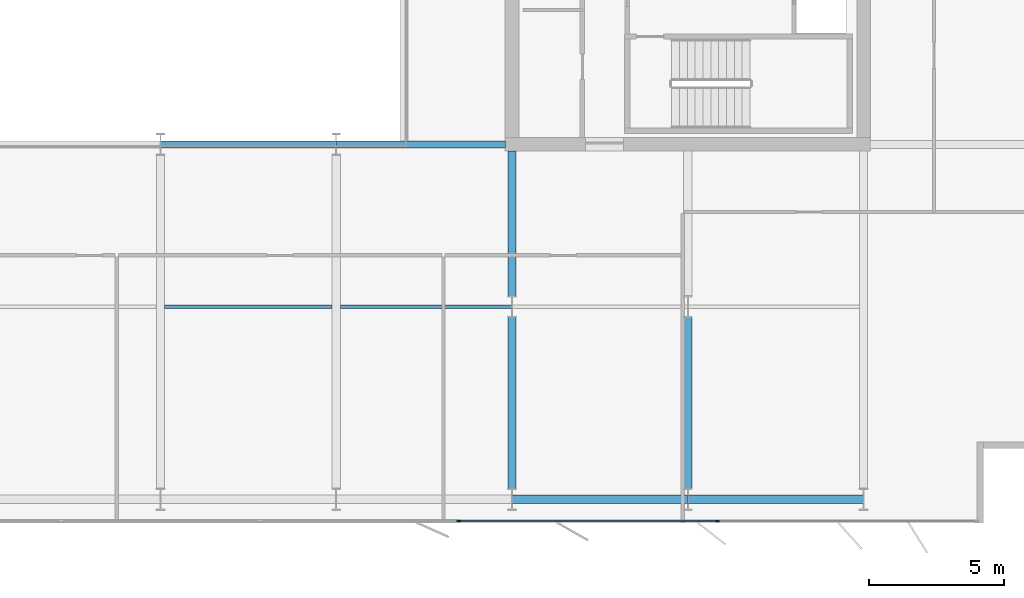
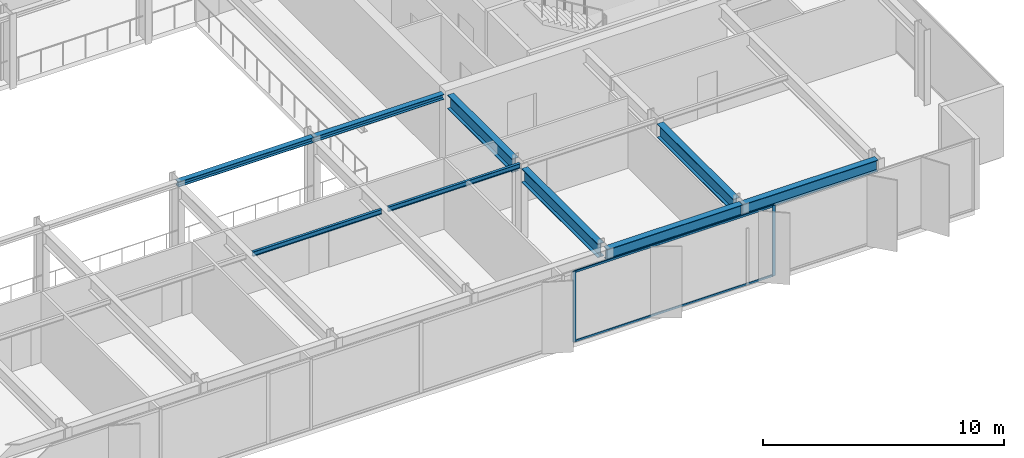
# One storey, part 7 of 23: 9 beams, 4 members, 1 element without a shape of its own.
"""IFC4 building model written with IfcOpenShell, lengths in metres."""

import ifcopenshell
import ifcopenshell.guid

model = None  # the IFC model being written
_history = None  # IfcOwnerHistory: only IFC2X3 demands one
_inside = {}  # id of a spatial element -> (the spatial element, [elements in it])
_under = {}  # id of a project, library or spatial element -> (it, [spatial elements below it])
_declared = {}  # id of a project -> (the project, [libraries it declares])
_typed = {}  # id of a type object -> (the type object, [elements of that type])
_made_of = {}  # id of a material, layer set ... -> (it, [elements and type objects made of it])


def new_model(schema):
    """Start an empty IFC model of exactly this schema.

    Asked for "IFC4X3", IfcOpenShell would pick the latest addendum, in which some entities
    have other attributes; the version numbers below select the first issue.
    IFC2X3 requires an IfcOwnerHistory on every rooted entity: one is made here for all.
    """
    global model, _history
    if schema == "IFC4X3":
        model = ifcopenshell.file(schema_version=(4, 3, 0, 0))
    else:
        model = ifcopenshell.file(schema=schema)
    _inside.clear()
    _under.clear()
    _declared.clear()
    _typed.clear()
    _made_of.clear()
    _history = None
    if model.schema == "IFC2X3":
        org = make("IfcOrganization", Name="unknown")
        user = make(
            "IfcPersonAndOrganization",
            ThePerson=make("IfcPerson", FamilyName="unknown"),
            TheOrganization=org,
        )
        app = make(
            "IfcApplication",
            ApplicationDeveloper=org,
            Version="unknown",
            ApplicationFullName="unknown",
            ApplicationIdentifier="unknown",
        )
        _history = make(
            "IfcOwnerHistory",
            OwningUser=user,
            OwningApplication=app,
            ChangeAction="ADDED",
            CreationDate=0,
        )
    return model


def make(cls, **values):
    """One entity of the class cls with the attributes given. An attribute that is None is left unset."""
    return model.create_entity(
        cls, **{name: value for name, value in values.items() if value is not None}
    )


def rooted(cls, **values):
    """An entity with a GlobalId (a new one), such as an element, a storey or a relation."""
    return make(cls, GlobalId=ifcopenshell.guid.new(), OwnerHistory=_history, **values)


def si_unit(unit_type, name, prefix=None):
    """IfcSIUnit, for example si_unit("LENGTHUNIT", "METRE", prefix="MILLI")."""
    return make("IfcSIUnit", UnitType=unit_type, Prefix=prefix, Name=name)


def assignment(units):
    """IfcUnitAssignment: the units of a project."""
    return None if units is None else make("IfcUnitAssignment", Units=units)


def point(xyz):
    """IfcCartesianPoint."""
    return None if xyz is None else make("IfcCartesianPoint", Coordinates=xyz)


def direction(xyz):
    """IfcDirection."""
    return None if xyz is None else make("IfcDirection", DirectionRatios=xyz)


def frame(location, z_axis=None, x_axis=None):
    """IfcAxis2Placement3D, a coordinate frame: its origin and axes. An axis left out is left unset."""
    return make(
        "IfcAxis2Placement3D",
        Location=point(location),
        Axis=direction(z_axis),
        RefDirection=direction(x_axis),
    )


def frame_2d(location, x_axis=None):
    """IfcAxis2Placement2D, a coordinate frame in the plane: its origin and x axis."""
    return make(
        "IfcAxis2Placement2D", Location=point(location), RefDirection=direction(x_axis)
    )


def origin():
    """The frame at (0, 0, 0) with its axes left unset."""
    return frame((0.0, 0.0, 0.0))


def origin_2d():
    """The frame at (0, 0) in the plane with its x axis left unset."""
    return frame_2d((0.0, 0.0))


def place(relative_to, where):
    """IfcLocalPlacement: puts the frame where relative to a parent placement (None: the world)."""
    return make(
        "IfcLocalPlacement", PlacementRelTo=relative_to, RelativePlacement=where
    )


def context(
    kind, dimensions, precision=None, world=None, true_north=None, identifier=None
):
    """IfcGeometricRepresentationContext, for example the 3D "Model" context."""
    return make(
        "IfcGeometricRepresentationContext",
        ContextIdentifier=identifier,
        ContextType=kind,
        CoordinateSpaceDimension=dimensions,
        Precision=precision,
        WorldCoordinateSystem=world,
        TrueNorth=true_north,
    )


def subcontext(parent, identifier, kind, view, scale=None):
    """IfcGeometricRepresentationSubContext, for example "Body" below "Model"."""
    return make(
        "IfcGeometricRepresentationSubContext",
        ContextIdentifier=identifier,
        ContextType=kind,
        ParentContext=parent,
        TargetScale=scale,
        TargetView=view,
    )


def project(units=None, contexts=None):
    """IfcProject with its units and contexts."""
    return rooted(
        "IfcProject",
        Name="project",
        RepresentationContexts=contexts,
        UnitsInContext=assignment(units),
    )


def spatial(cls, under=None, at=None, **own):
    """A site, building, storey or space (cls), placed at a placement, below another one or the project."""
    s = rooted(cls, ObjectPlacement=at, **own)
    if under is not None:
        _under.setdefault(under.id(), (under, []))[1].append(s)
    return s


def profile(cls, at=None, kind="AREA", **sizes):
    """A parametric profile (cls). Its sizes go by their IFC names, for example OverallWidth=200.0."""
    return make(cls, ProfileType=kind, Position=at, **sizes)


def rectangle(**sizes):
    """IfcRectangleProfileDef."""
    return profile("IfcRectangleProfileDef", **sizes)


def i_section(**sizes):
    """IfcIShapeProfileDef."""
    return profile("IfcIShapeProfileDef", **sizes)


def extrude(swept, where, along, depth):
    """IfcExtrudedAreaSolid: the profile swept, set in the frame where, extruded along a direction by depth."""
    return make(
        "IfcExtrudedAreaSolid",
        SweptArea=swept,
        Position=where,
        ExtrudedDirection=direction(along),
        Depth=depth,
    )


def shape(context_of_items, identifier, shape_type, items):
    """IfcShapeRepresentation: the items that make up one representation, for example the "Body"."""
    return make(
        "IfcShapeRepresentation",
        ContextOfItems=context_of_items,
        RepresentationIdentifier=identifier,
        RepresentationType=shape_type,
        Items=items,
    )


def material(Name=None, Category=None):
    """IfcMaterial."""
    return make("IfcMaterial", Name=Name, Category=Category)


def layer(
    of_material, thickness, ventilated=None, Name=None, Category=None, Priority=None
):
    """IfcMaterialLayer: one layer of a wall or slab, of a material (None: an air gap)."""
    return make(
        "IfcMaterialLayer",
        Material=of_material,
        LayerThickness=thickness,
        IsVentilated=ventilated,
        Name=Name,
        Category=Category,
        Priority=Priority,
    )


def layer_set(layers, Name=None):
    """IfcMaterialLayerSet."""
    return make("IfcMaterialLayerSet", MaterialLayers=layers, LayerSetName=Name)


def material_profile(
    of_material, cross_section, Name=None, Category=None, Priority=None
):
    """IfcMaterialProfile: a cross section and its material."""
    return make(
        "IfcMaterialProfile",
        Name=Name,
        Material=of_material,
        Profile=cross_section,
        Priority=Priority,
        Category=Category,
    )


def profile_set(profiles, Name=None, composite=None):
    """IfcMaterialProfileSet."""
    return make(
        "IfcMaterialProfileSet",
        Name=Name,
        MaterialProfiles=profiles,
        CompositeProfile=composite,
    )


def made_of(thing, what):
    """Note that an element or type object is made of a material, layer set ...; save() writes the relation."""
    if what is not None:
        _made_of.setdefault(what.id(), (what, []))[1].append(thing)
    return thing


def type_object(cls, material=None, **own):
    """A type object (cls), such as IfcWallType, which elements share."""
    return made_of(rooted(cls, **own), material)


def element(
    cls,
    number,
    at=None,
    inside=None,
    cuts=None,
    type_object=None,
    material=None,
    context=None,
    identifier="Body",
    shape_type=None,
    held_by="IfcProductDefinitionShape",
    body=None,
    shapes=None,
    **own,
):
    """One element of the class cls, such as IfcWall. Its Tag is "e" and its number.

    at: its placement. inside: the storey or other place that contains it. cuts: it is an
    opening in that element (IfcRelVoidsElement). A single representation is given by context,
    identifier, shape_type and body (its items); several are given by shapes. held_by: the class
    of the entity that holds the representations. save() writes the other relations.
    """
    e = rooted(cls, Tag="e%d" % number, ObjectPlacement=at, **own)
    if body is not None:
        shapes = [shape(context, identifier, shape_type, body)]
    if shapes is not None:
        e.Representation = make(held_by, Representations=shapes)
    if inside is not None:
        _inside.setdefault(inside.id(), (inside, []))[1].append(e)
    if cuts is not None:
        rooted(
            "IfcRelVoidsElement", RelatingBuildingElement=cuts, RelatedOpeningElement=e
        )
    if type_object is not None:
        _typed.setdefault(type_object.id(), (type_object, []))[1].append(e)
    return made_of(e, material)


def aggregate(whole, parts):
    """IfcRelAggregates: a whole, such as a stair, and the parts it consists of."""
    return rooted("IfcRelAggregates", RelatingObject=whole, RelatedObjects=parts)


def save(model, path):
    """Write the relations noted so far, then the file.

    IfcRelAggregates (storeys below a building ...), IfcRelContainedInSpatialStructure (elements
    in a storey), IfcRelDefinesByType, IfcRelAssociatesMaterial and IfcRelDeclares: one each for
    every whole, place, type object, material and project.
    """
    for whole, parts in _under.values():
        aggregate(whole, parts)
    for where, things in _inside.values():
        rooted(
            "IfcRelContainedInSpatialStructure",
            RelatedElements=things,
            RelatingStructure=where,
        )
    for kind, things in _typed.values():
        rooted("IfcRelDefinesByType", RelatedObjects=things, RelatingType=kind)
    for what, things in _made_of.values():
        rooted("IfcRelAssociatesMaterial", RelatedObjects=things, RelatingMaterial=what)
    for by, libraries in _declared.values():
        rooted("IfcRelDeclares", RelatingContext=by, RelatedDefinitions=libraries)
    model.write(path)


model = new_model("IFC4")

# Units and contexts
model_context = context("Model", 3, precision=1e-05, world=origin(), true_north=direction((0.0, 1.0)))
body_context = subcontext(model_context, "Body", "Model", "MODEL_VIEW")
ifc_project = project(units=[si_unit("LENGTHUNIT", "METRE"), si_unit("AREAUNIT", "SQUARE_METRE"), si_unit("VOLUMEUNIT", "CUBIC_METRE"), si_unit("PLANEANGLEUNIT", "RADIAN"), si_unit("MASSUNIT", "GRAM", prefix="KILO")], contexts=[model_context])

# Site, building, storey
site_placement = place(None, origin())
site = spatial("IfcSite", under=ifc_project, at=site_placement, CompositionType="ELEMENT")
building_placement = place(site_placement, origin())
building = spatial("IfcBuilding", under=site, at=building_placement, Name="Putna Gate Headquarters", CompositionType="ELEMENT")
storey_placement = place(building_placement, frame((0.0, 0.0, 206.199951171875)))
storey = spatial("IfcBuildingStorey", under=building, at=storey_placement, Name="L51", CompositionType="ELEMENT", Elevation=206.199951171875)

# Beams
ifc_material_1 = material(Name="Steel S355J2", Category="steel")
ifc_material_profile_1 = material_profile(ifc_material_1, i_section(OverallWidth=0.260009765625, OverallDepth=0.260009765625, WebThickness=0.010009765625, FlangeThickness=0.017578125, at=origin_2d()), Name="Steel S355J2")
ifc_profile_set_1 = profile_set([ifc_material_profile_1], Name="Steel S355J2")
beam_type_1 = type_object("IfcBeamType", Name="BM-ATRIUM-HEB260", PredefinedType="BEAM", material=ifc_profile_set_1)
beam_1_placement = place(storey_placement, frame((39.006103515625, 19.0, 3.449951171875), z_axis=(1.0, 0.0, 0.0), x_axis=(0.0, 1.0, 0.0)))
element("IfcBeam", 1, at=beam_1_placement, inside=storey, type_object=beam_type_1, Name="L51 Atrium Edge Beam AS3", PredefinedType="BEAM", context=body_context, shape_type="SweptSolid", body=[
    extrude(i_section(OverallWidth=0.260009765625, OverallDepth=0.260009765625, WebThickness=0.010009765625, FlangeThickness=0.017578125, at=origin_2d()), origin(), (0.0, 0.0, 1.0), 6.48779296875),
])
beam_2_placement = place(storey_placement, frame((45.506103515625, 19.0, 3.449951171875), z_axis=(1.0, 0.0, 0.0), x_axis=(0.0, 1.0, 0.0)))
element("IfcBeam", 2, at=beam_2_placement, inside=storey, type_object=beam_type_1, Name="L51 Atrium Edge Beam AS4", PredefinedType="BEAM", context=body_context, shape_type="SweptSolid", body=[
    extrude(i_section(OverallWidth=0.260009765625, OverallDepth=0.260009765625, WebThickness=0.010009765625, FlangeThickness=0.017578125, at=origin_2d()), origin(), (0.0, 0.0, 1.0), 6.2587890625),
])
ifc_material_profile_2 = material_profile(ifc_material_1, i_section(OverallWidth=0.300048828125, OverallDepth=0.699951171875, WebThickness=0.01708984375, FlangeThickness=0.031982421875, at=origin_2d()), Name="Steel S355J2")
ifc_profile_set_2 = profile_set([ifc_material_profile_2], Name="Steel S355J2")
beam_type_2 = type_object("IfcBeamType", Name="BM-GIRD-B-HEB700", PredefinedType="USERDEFINED", material=ifc_profile_set_2)
beam_3_placement = place(storey_placement, frame((52.0, 6.27490234375, 3.22998046875), z_axis=(0.0, 1.0, 0.0), x_axis=(-1.0, 0.0, 0.0)))
element("IfcBeam", 3, at=beam_3_placement, inside=storey, type_object=beam_type_2, Name="L51 South Primary Girder X52-1", ObjectType="GIRDER", PredefinedType="USERDEFINED", context=body_context, shape_type="SweptSolid", body=[
    extrude(i_section(OverallWidth=0.300048828125, OverallDepth=0.699951171875, WebThickness=0.01708984375, FlangeThickness=0.031982421875, at=origin_2d()), origin(), (0.0, 0.0, 1.0), 6.330078125),
])
beam_4_placement = place(storey_placement, frame((52.0, 13.39501953125, 3.22998046875), z_axis=(0.0, 1.0, 0.0), x_axis=(-1.0, 0.0, 0.0)))
element("IfcBeam", 4, at=beam_4_placement, inside=storey, type_object=beam_type_2, Name="L51 South Primary Girder X52-2", ObjectType="GIRDER", PredefinedType="USERDEFINED", context=body_context, shape_type="SweptSolid", body=[
    extrude(i_section(OverallWidth=0.300048828125, OverallDepth=0.699951171875, WebThickness=0.01708984375, FlangeThickness=0.031982421875, at=origin_2d()), origin(), (0.0, 0.0, 1.0), 5.369873046875),
])
beam_5_placement = place(storey_placement, frame((58.5, 6.27490234375, 3.22998046875), z_axis=(0.0, 1.0, 0.0), x_axis=(-1.0, 0.0, 0.0)))
element("IfcBeam", 5, at=beam_5_placement, inside=storey, type_object=beam_type_2, Name="L51 South Primary Girder X58-1", ObjectType="GIRDER", PredefinedType="USERDEFINED", context=body_context, shape_type="SweptSolid", body=[
    extrude(i_section(OverallWidth=0.300048828125, OverallDepth=0.699951171875, WebThickness=0.01708984375, FlangeThickness=0.031982421875, at=origin_2d()), origin(), (0.0, 0.0, 1.0), 6.330078125),
])
ifc_material_profile_3 = material_profile(ifc_material_1, i_section(OverallWidth=0.1201171875, OverallDepth=0.239990234375, WebThickness=0.006103515625, FlangeThickness=0.009765625, at=origin_2d()), Name="Steel S355J2")
ifc_profile_set_3 = profile_set([ifc_material_profile_3], Name="Steel S355J2")
beam_type_3 = type_object("IfcBeamType", Name="BM-SEC-Z4-IPE240", PredefinedType="JOIST", material=ifc_profile_set_3)
beam_6_placement = place(storey_placement, frame((39.154052734375, 13.0, 3.4599609375), z_axis=(1.0, 0.0, 0.0), x_axis=(0.0, 1.0, 0.0)))
element("IfcBeam", 6, at=beam_6_placement, inside=storey, type_object=beam_type_3, Name="L51 South Secondary Beam 5", PredefinedType="JOIST", context=body_context, shape_type="SweptSolid", body=[
    extrude(i_section(OverallWidth=0.1201171875, OverallDepth=0.239990234375, WebThickness=0.006103515625, FlangeThickness=0.009765625, at=origin_2d()), origin(), (0.0, 0.0, 1.0), 6.19189453125),
])
beam_7_placement = place(storey_placement, frame((45.654052734375, 13.0, 3.4599609375), z_axis=(1.0, 0.0, 0.0), x_axis=(0.0, 1.0, 0.0)))
element("IfcBeam", 7, at=beam_7_placement, inside=storey, type_object=beam_type_3, Name="L51 South Secondary Beam 6", PredefinedType="JOIST", context=body_context, shape_type="SweptSolid", body=[
    extrude(i_section(OverallWidth=0.1201171875, OverallDepth=0.239990234375, WebThickness=0.006103515625, FlangeThickness=0.009765625, at=origin_2d()), origin(), (0.0, 0.0, 1.0), 6.33984375),
])
ifc_material_profile_4 = material_profile(ifc_material_1, i_section(OverallWidth=0.300048828125, OverallDepth=0.590087890625, WebThickness=0.012939453125, FlangeThickness=0.02490234375, at=origin_2d()), Name="Steel S355J2")
ifc_profile_set_4 = profile_set([ifc_material_profile_4], Name="Steel S355J2")
beam_type_4 = type_object("IfcBeamType", Name="BM-SPAN-Z4-HEA600", PredefinedType="SPANDREL", material=ifc_profile_set_4)
for number, where, z_axis, x_axis, name in (
    (8, (52.006103515625, 5.8798828125, 3.28515625), (1.0, 0.0, 0.0), (0.0, 1.0, 0.0), "L51 S Perimeter Spandrel 7"),
    (9, (58.506103515625, 5.8798828125, 3.28515625), (1.0, 0.0, 0.0), (0.0, 1.0, 0.0), "L51 S Perimeter Spandrel 8"),
):
    element("IfcBeam", number, at=place(storey_placement, frame(where, z_axis=z_axis, x_axis=x_axis)), inside=storey, type_object=beam_type_4, Name=name, PredefinedType="SPANDREL", context=body_context, shape_type="SweptSolid", body=[
        extrude(i_section(OverallWidth=0.300048828125, OverallDepth=0.590087890625, WebThickness=0.012939453125, FlangeThickness=0.02490234375, at=origin_2d()), origin(), (0.0, 0.0, 1.0), 6.48779296875),
    ])

# Curtain wall, members
ifc_material_2 = material(Name="Anodised bronze aluminium curtain wall", Category="aluminium")
ifc_layer = layer(ifc_material_2, 0.139892578125)
ifc_layer_set = layer_set([ifc_layer], Name="Anodised bronze aluminium curtain wall")
curtain_wall_type = type_object("IfcCurtainWallType", Name="CW-SYS-Z4", PredefinedType="USERDEFINED", material=ifc_layer_set)
curtain_wall_placement = place(storey_placement, origin())
curtain_wall = element("IfcCurtainWall", 10, at=curtain_wall_placement, inside=storey, type_object=curtain_wall_type, Name="L51 South East Curtain Wall", ObjectType="STICK CURTAIN WALL", PredefinedType="USERDEFINED")
ifc_material_3 = material(Name="Anodised bronze aluminium EN AW-6060", Category="aluminium")
ifc_material_profile_5 = material_profile(ifc_material_3, rectangle(XDim=0.06005859375, YDim=0.139892578125, at=origin_2d()), Name="Anodised bronze aluminium EN AW-6060")
ifc_profile_set_5 = profile_set([ifc_material_profile_5], Name="Anodised bronze aluminium EN AW-6060")
member_type_1 = type_object("IfcMemberType", Name="MULL-CWM-4", PredefinedType="MULLION", material=ifc_profile_set_5)
member_1_placement = place(storey_placement, frame((50.030029296875, 5.080078125, 0.0), z_axis=(0.0, 0.0, 1.0), x_axis=(0.0, 1.0, 0.0)))
member_1 = element("IfcMember", 11, at=member_1_placement, type_object=member_type_1, Name="CWS-4 mullion 1", PredefinedType="MULLION", context=body_context, shape_type="SweptSolid", body=[
    extrude(rectangle(XDim=0.06005859375, YDim=0.139892578125, at=origin_2d()), origin(), (0.0, 0.0, 1.0), 3.580078125),
])
member_2_placement = place(storey_placement, frame((59.60009765625, 5.080078125, 0.0), z_axis=(0.0, 0.0, 1.0), x_axis=(0.0, 1.0, 0.0)))
member_2 = element("IfcMember", 12, at=member_2_placement, type_object=member_type_1, Name="CWS-4 mullion 2", PredefinedType="MULLION", context=body_context, shape_type="SweptSolid", body=[
    extrude(rectangle(XDim=0.06005859375, YDim=0.139892578125, at=origin_2d()), origin(), (0.0, 0.0, 1.0), 3.580078125),
])
ifc_material_profile_6 = material_profile(ifc_material_3, rectangle(XDim=0.06005859375, YDim=0.10009765625, at=origin_2d()), Name="Anodised bronze aluminium EN AW-6060")
ifc_profile_set_6 = profile_set([ifc_material_profile_6], Name="Anodised bronze aluminium EN AW-6060")
member_type_2 = type_object("IfcMemberType", Name="TRAN-CWT-4", PredefinedType="USERDEFINED", material=ifc_profile_set_6)
member_3_placement = place(storey_placement, frame((50.06005859375, 5.080078125, 0.030029296875), z_axis=(1.0, 0.0, 0.0), x_axis=(0.0, 1.0, 0.0)))
member_3 = element("IfcMember", 13, at=member_3_placement, type_object=member_type_2, Name="CWS-4 transom 1.1", ObjectType="TRANSOM", PredefinedType="USERDEFINED", context=body_context, shape_type="SweptSolid", body=[
    extrude(rectangle(XDim=0.06005859375, YDim=0.10009765625, at=origin_2d()), origin(), (0.0, 0.0, 1.0), 9.510009765625),
])
member_4_placement = place(storey_placement, frame((50.06005859375, 5.080078125, 3.550048828125), z_axis=(1.0, 0.0, 0.0), x_axis=(0.0, 1.0, 0.0)))
member_4 = element("IfcMember", 14, at=member_4_placement, type_object=member_type_2, Name="CWS-4 transom 1.2", ObjectType="TRANSOM", PredefinedType="USERDEFINED", context=body_context, shape_type="SweptSolid", body=[
    extrude(rectangle(XDim=0.06005859375, YDim=0.10009765625, at=origin_2d()), origin(), (0.0, 0.0, 1.0), 9.510009765625),
])
aggregate(curtain_wall, [member_1, member_2, member_3, member_4])

save(model, "model.ifc")
